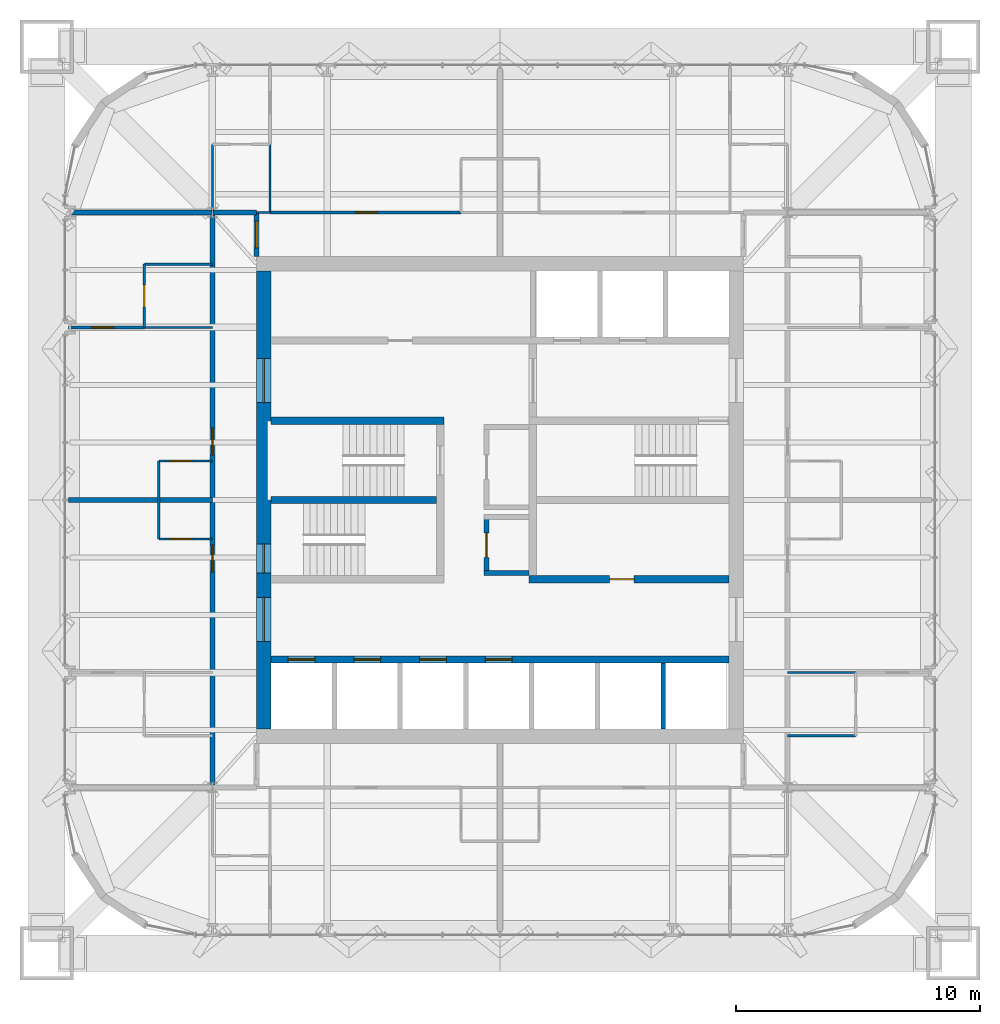
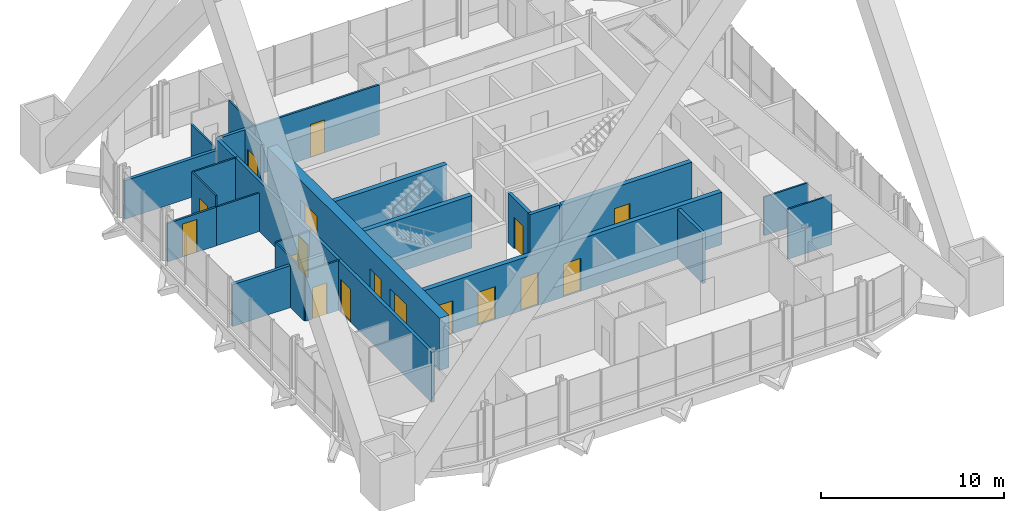
# One storey, part 20 of 23: 26 walls, 17 doors, 17 openings.
"""IFC4 building model written with IfcOpenShell, lengths in metres."""

from ifc_helpers import new_model, si_unit, direction, frame, frame_2d, origin, place, context, subcontext, project, spatial, rectangle, extrude, material, layer, layer_set, type_object, element, fill, save


model = new_model("IFC4")

# Units and contexts
model_context = context("Model", 3, precision=1e-05, world=origin(), true_north=direction((0.0, 1.0)))
body_context = subcontext(model_context, "Body", "Model", "MODEL_VIEW")
ifc_project = project(units=[si_unit("LENGTHUNIT", "METRE"), si_unit("AREAUNIT", "SQUARE_METRE"), si_unit("VOLUMEUNIT", "CUBIC_METRE"), si_unit("PLANEANGLEUNIT", "RADIAN"), si_unit("MASSUNIT", "GRAM", prefix="KILO")], contexts=[model_context])

# Site, building, storey
site_placement = place(None, origin())
site = spatial("IfcSite", under=ifc_project, at=site_placement, CompositionType="ELEMENT")
building_placement = place(site_placement, origin())
building = spatial("IfcBuilding", under=site, at=building_placement, Name="Turquesa Mirador Hotel Tower", CompositionType="ELEMENT")
storey_placement = place(building_placement, frame((0.0, 0.0, 226.699951171875)))
storey = spatial("IfcBuildingStorey", under=building, at=storey_placement, Name="L61", CompositionType="ELEMENT", Elevation=226.699951171875)

# Wall, opening, door
ifc_material_1 = material(Name="Gypsum board on steel studs", Category="steel")
ifc_layer_1 = layer(ifc_material_1, 0.10009765625)
ifc_layer_set_1 = layer_set([ifc_layer_1], Name="BATHROOM WALL 100")
wall_type_1 = type_object("IfcWallType", Name="BATHROOM WALL 100", PredefinedType="PARTITIONING", material=ifc_layer_set_1)
wall_1_placement = place(storey_placement, frame((41.0, 43.39990234375, 0.0), z_axis=(0.0, 0.0, 1.0), x_axis=(1.0, 0.0, 0.0)))
wall_1 = element("IfcWall", 1, at=wall_1_placement, inside=storey, type_object=wall_type_1, Name="Partition L61 001", PredefinedType="PARTITIONING", context=body_context, shape_type="SweptSolid", body=[
    extrude(rectangle(XDim=2.199951171875, YDim=0.10009765625, at=frame_2d((1.10009765625, 0.0))), origin(), (0.0, 0.0, 1.0), 3.330078125),
])
opening_1_placement = place(wall_1_placement, frame((0.449951171875, 0.0, 0.0)))
opening_1 = element("IfcOpeningElement", 2, at=opening_1_placement, cuts=wall_1, Name="Opening D06", PredefinedType="OPENING", context=body_context, shape_type="SweptSolid", body=[
    extrude(rectangle(XDim=0.89990234375, YDim=2.10009765625, at=frame_2d((0.449951171875, 1.050048828125))), frame((0.0, 0.06005859375, 0.0), z_axis=(0.0, -1.0, 0.0), x_axis=(1.0, 0.0, 0.0)), (0.0, 0.0, 1.0), 0.1201171875),
])
ifc_material_2 = material(Name="Laminate door", Category="wood")
door_type_1 = type_object("IfcDoorType", Name="DOOR 900X2100 WC", OperationType="SINGLE_SWING_LEFT", PredefinedType="DOOR", material=ifc_material_2)
door_1_placement = place(opening_1_placement, origin())
door_1 = element("IfcDoor", 3, at=door_1_placement, inside=storey, type_object=door_type_1, Name="Door 6107W", OperationType="SINGLE_SWING_LEFT", OverallHeight=2.10009765625, OverallWidth=0.89990234375, PredefinedType="DOOR", context=body_context, shape_type="SweptSolid", body=[
    extrude(rectangle(XDim=0.89990234375, YDim=2.10009765625, at=frame_2d((0.449951171875, 1.050048828125))), frame((0.0, 0.02490234375, 0.0), z_axis=(0.0, -1.0, 0.0), x_axis=(1.0, 0.0, 0.0)), (0.0, 0.0, 1.0), 0.050048828125),
])
fill(opening_1, door_1)

# Walls
wall_2_placement = place(storey_placement, frame((66.800048828125, 37.919921875, 0.0), z_axis=(0.0, 0.0, 1.0), x_axis=(1.0, 0.0, 0.0)))
element("IfcWall", 4, at=wall_2_placement, inside=storey, type_object=wall_type_1, Name="Partition L61 016", PredefinedType="PARTITIONING", context=body_context, shape_type="SweptSolid", body=[
    extrude(rectangle(XDim=2.800048828125, YDim=0.10009765625, at=frame_2d((1.39990234375, 0.0))), origin(), (0.0, 0.0, 1.0), 2.5732421875),
])
wall_3_placement = place(storey_placement, frame((66.800048828125, 35.320068359375, 0.0), z_axis=(0.0, 0.0, 1.0), x_axis=(1.0, 0.0, 0.0)))
element("IfcWall", 5, at=wall_3_placement, inside=storey, type_object=wall_type_1, Name="Partition L61 020", PredefinedType="PARTITIONING", context=body_context, shape_type="SweptSolid", body=[
    extrude(rectangle(XDim=2.800048828125, YDim=0.10009765625, at=frame_2d((1.39990234375, 0.0))), origin(), (0.0, 0.0, 1.0), 3.330078125),
])

# Wall, opening, door
wall_4_placement = place(storey_placement, frame((41.0, 46.60009765625, 0.0), z_axis=(0.0, 0.0, 1.0), x_axis=(1.0, 0.0, 0.0)))
wall_4 = element("IfcWall", 6, at=wall_4_placement, inside=storey, type_object=wall_type_1, Name="Partition L61 023", PredefinedType="PARTITIONING", context=body_context, shape_type="SweptSolid", body=[
    extrude(rectangle(XDim=2.199951171875, YDim=0.10009765625, at=frame_2d((1.10009765625, 0.0))), origin(), (0.0, 0.0, 1.0), 3.330078125),
])
opening_2_placement = place(wall_4_placement, frame((0.449951171875, 0.0, 0.0)))
opening_2 = element("IfcOpeningElement", 7, at=opening_2_placement, cuts=wall_4, Name="Opening D06", PredefinedType="OPENING", context=body_context, shape_type="SweptSolid", body=[
    extrude(rectangle(XDim=0.89990234375, YDim=2.10009765625, at=frame_2d((0.449951171875, 1.050048828125))), frame((0.0, 0.06005859375, 0.0), z_axis=(0.0, -1.0, 0.0), x_axis=(1.0, 0.0, 0.0)), (0.0, 0.0, 1.0), 0.1201171875),
])
door_2_placement = place(opening_2_placement, origin())
door_2 = element("IfcDoor", 8, at=door_2_placement, inside=storey, type_object=door_type_1, Name="Door 6108W", OperationType="SINGLE_SWING_LEFT", OverallHeight=2.10009765625, OverallWidth=0.89990234375, PredefinedType="DOOR", context=body_context, shape_type="SweptSolid", body=[
    extrude(rectangle(XDim=0.89990234375, YDim=2.10009765625, at=frame_2d((0.449951171875, 1.050048828125))), frame((0.0, 0.02490234375, 0.0), z_axis=(0.0, -1.0, 0.0), x_axis=(1.0, 0.0, 0.0)), (0.0, 0.0, 1.0), 0.050048828125),
])
fill(opening_2, door_2)

# Walls
wall_5_placement = place(storey_placement, frame((45.0, 56.800048828125, 0.0), z_axis=(0.0, 0.0, 1.0), x_axis=(1.0, 0.0, 0.0)))
element("IfcWall", 9, at=wall_5_placement, inside=storey, type_object=wall_type_1, Name="Partition L61 025", PredefinedType="PARTITIONING", context=body_context, shape_type="SweptSolid", body=[
    extrude(rectangle(XDim=0.56005859375, YDim=0.10009765625, at=frame_2d((0.280029296875, 0.0))), origin(), (0.0, 0.0, 1.0), 3.330078125),
])
wall_6_placement = place(storey_placement, frame((40.39990234375, 52.080078125, 0.0), z_axis=(0.0, 0.0, 1.0), x_axis=(1.0, 0.0, 0.0)))
element("IfcWall", 10, at=wall_6_placement, inside=storey, type_object=wall_type_1, Name="Partition L61 037", PredefinedType="PARTITIONING", context=body_context, shape_type="SweptSolid", body=[
    extrude(rectangle(XDim=2.800048828125, YDim=0.10009765625, at=frame_2d((1.39990234375, 0.0))), origin(), (0.0, 0.0, 1.0), 2.5732421875),
])
wall_7_placement = place(storey_placement, frame((40.39990234375, 54.679931640625, 0.0), z_axis=(0.0, 0.0, 1.0), x_axis=(1.0, 0.0, 0.0)))
element("IfcWall", 11, at=wall_7_placement, inside=storey, type_object=wall_type_1, Name="Partition L61 041", PredefinedType="PARTITIONING", context=body_context, shape_type="SweptSolid", body=[
    extrude(rectangle(XDim=2.800048828125, YDim=0.10009765625, at=frame_2d((1.39990234375, 0.0))), origin(), (0.0, 0.0, 1.0), 3.330078125),
])
wall_8_placement = place(storey_placement, frame((43.199951171875, 56.800048828125, 0.0), z_axis=(0.0, 0.0, 1.0), x_axis=(0.0, 1.0, 0.0)))
element("IfcWall", 12, at=wall_8_placement, inside=storey, type_object=wall_type_1, Name="Partition L61 048", PredefinedType="PARTITIONING", context=body_context, shape_type="SweptSolid", body=[
    extrude(rectangle(XDim=2.800048828125, YDim=0.10009765625, at=frame_2d((1.39990234375, 0.0))), origin(), (0.0, 0.0, 1.0), 2.5732421875),
])
wall_9_placement = place(storey_placement, frame((41.0, 43.39990234375, 0.0), z_axis=(0.0, 0.0, 1.0), x_axis=(0.0, 1.0, 0.0)))
element("IfcWall", 13, at=wall_9_placement, inside=storey, type_object=wall_type_1, Name="Partition L61 050", PredefinedType="PARTITIONING", context=body_context, shape_type="SweptSolid", body=[
    extrude(rectangle(XDim=3.2001953125, YDim=0.10009765625, at=frame_2d((1.60009765625, 0.0))), origin(), (0.0, 0.0, 1.0), 3.330078125),
])

# Wall, opening, door
wall_10_placement = place(storey_placement, frame((40.39990234375, 52.080078125, 0.0), z_axis=(0.0, 0.0, 1.0), x_axis=(0.0, 1.0, 0.0)))
wall_10 = element("IfcWall", 14, at=wall_10_placement, inside=storey, type_object=wall_type_1, Name="Partition L61 052", PredefinedType="PARTITIONING", context=body_context, shape_type="SweptSolid", body=[
    extrude(rectangle(XDim=2.599853515625, YDim=0.10009765625, at=frame_2d((1.2998046875, 0.0))), origin(), (0.0, 0.0, 1.0), 3.330078125),
])
opening_3_placement = place(wall_10_placement, frame((0.85009765625, 0.0, 0.0)))
opening_3 = element("IfcOpeningElement", 15, at=opening_3_placement, cuts=wall_10, Name="Opening D02", PredefinedType="OPENING", context=body_context, shape_type="SweptSolid", body=[
    extrude(rectangle(XDim=0.89990234375, YDim=2.10009765625, at=frame_2d((0.449951171875, 1.050048828125))), frame((0.0, 0.06005859375, 0.0), z_axis=(0.0, -1.0, 0.0), x_axis=(1.0, 0.0, 0.0)), (0.0, 0.0, 1.0), 0.1201171875),
])
ifc_material_3 = material(Name="Timber veneered door", Category="wood")
door_type_2 = type_object("IfcDoorType", Name="DOOR 900X2100 EN-SUITE", OperationType="SINGLE_SWING_RIGHT", PredefinedType="DOOR", material=ifc_material_3)
door_3_placement = place(opening_3_placement, origin())
door_3 = element("IfcDoor", 16, at=door_3_placement, inside=storey, type_object=door_type_2, Name="Door 6108B", OperationType="SINGLE_SWING_RIGHT", OverallHeight=2.10009765625, OverallWidth=0.89990234375, PredefinedType="DOOR", context=body_context, shape_type="SweptSolid", body=[
    extrude(rectangle(XDim=0.89990234375, YDim=2.10009765625, at=frame_2d((0.449951171875, 1.050048828125))), frame((0.0, 0.02490234375, 0.0), z_axis=(0.0, -1.0, 0.0), x_axis=(1.0, 0.0, 0.0)), (0.0, 0.0, 1.0), 0.050048828125),
])
fill(opening_3, door_3)

# Wall
wall_11_placement = place(storey_placement, frame((45.56005859375, 56.800048828125, 0.0), z_axis=(0.0, 0.0, 1.0), x_axis=(0.0, 1.0, 0.0)))
element("IfcWall", 17, at=wall_11_placement, inside=storey, type_object=wall_type_1, Name="Partition L61 054", PredefinedType="PARTITIONING", context=body_context, shape_type="SweptSolid", body=[
    extrude(rectangle(XDim=2.800048828125, YDim=0.10009765625, at=frame_2d((1.39990234375, 0.0))), origin(), (0.0, 0.0, 1.0), 3.330078125),
])

# Wall, openings, doors
ifc_material_4 = material(Name="Concrete C50/60", Category="concrete")
ifc_layer_2 = layer(ifc_material_4, 0.300048828125)
ifc_layer_set_2 = layer_set([ifc_layer_2], Name="CORE INNER WALL 300")
wall_type_2 = type_object("IfcWallType", Name="CORE INNER WALL 300", PredefinedType="SHEAR", material=ifc_layer_set_2)
wall_12_placement = place(storey_placement, frame((45.60009765625, 38.449951171875, 0.0), z_axis=(0.0, 0.0, 1.0), x_axis=(1.0, 0.0, 0.0)))
wall_12 = element("IfcWall", 18, at=wall_12_placement, inside=storey, type_object=wall_type_2, Name="Core wall SL", PredefinedType="SHEAR", context=body_context, shape_type="SweptSolid", body=[
    extrude(rectangle(XDim=18.7998046875, YDim=0.300048828125, at=frame_2d((9.39990234375, 0.0))), origin(), (0.0, 0.0, 1.0), 3.5),
])
opening_4_placement = place(wall_12_placement, frame((0.699951171875, 0.0, 0.0)))
opening_4 = element("IfcOpeningElement", 19, at=opening_4_placement, cuts=wall_12, Name="Opening LD", PredefinedType="OPENING", context=body_context, shape_type="SweptSolid", body=[
    extrude(rectangle(XDim=1.10009765625, YDim=2.199951171875, at=frame_2d((0.550048828125, 1.10009765625))), frame((0.0, 0.159912109375, 0.0), z_axis=(0.0, -1.0, 0.0), x_axis=(1.0, 0.0, 0.0)), (0.0, 0.0, 1.0), 0.320068359375),
])
opening_5_placement = place(wall_12_placement, frame((3.39990234375, 0.0, 0.0)))
opening_5 = element("IfcOpeningElement", 20, at=opening_5_placement, cuts=wall_12, Name="Opening LD", PredefinedType="OPENING", context=body_context, shape_type="SweptSolid", body=[
    extrude(rectangle(XDim=1.10009765625, YDim=2.199951171875, at=frame_2d((0.550048828125, 1.10009765625))), frame((0.0, 0.159912109375, 0.0), z_axis=(0.0, -1.0, 0.0), x_axis=(1.0, 0.0, 0.0)), (0.0, 0.0, 1.0), 0.320068359375),
])
opening_6_placement = place(wall_12_placement, frame((6.10009765625, 0.0, 0.0)))
opening_6 = element("IfcOpeningElement", 21, at=opening_6_placement, cuts=wall_12, Name="Opening LD", PredefinedType="OPENING", context=body_context, shape_type="SweptSolid", body=[
    extrude(rectangle(XDim=1.10009765625, YDim=2.199951171875, at=frame_2d((0.550048828125, 1.10009765625))), frame((0.0, 0.159912109375, 0.0), z_axis=(0.0, -1.0, 0.0), x_axis=(1.0, 0.0, 0.0)), (0.0, 0.0, 1.0), 0.320068359375),
])
opening_7_placement = place(wall_12_placement, frame((8.800048828125, 0.0, 0.0)))
opening_7 = element("IfcOpeningElement", 22, at=opening_7_placement, cuts=wall_12, Name="Opening LD", PredefinedType="OPENING", context=body_context, shape_type="SweptSolid", body=[
    extrude(rectangle(XDim=1.10009765625, YDim=2.199951171875, at=frame_2d((0.550048828125, 1.10009765625))), frame((0.0, 0.159912109375, 0.0), z_axis=(0.0, -1.0, 0.0), x_axis=(1.0, 0.0, 0.0)), (0.0, 0.0, 1.0), 0.320068359375),
])
ifc_material_5 = material(Name="Stainless steel lift landing door", Category="steel")
door_type_3 = type_object("IfcDoorType", Name="LIFT LANDING DOOR 1100X2200", OperationType="SLIDING_TO_LEFT", PredefinedType="DOOR", material=ifc_material_5)
door_4_placement = place(opening_4_placement, origin())
door_4 = element("IfcDoor", 23, at=door_4_placement, inside=storey, type_object=door_type_3, Name="Lift B1 landing door", OperationType="SLIDING_TO_LEFT", OverallHeight=2.199951171875, OverallWidth=1.10009765625, PredefinedType="DOOR", context=body_context, shape_type="SweptSolid", body=[
    extrude(rectangle(XDim=1.10009765625, YDim=2.199951171875, at=frame_2d((0.550048828125, 1.10009765625))), frame((0.0, 0.02490234375, 0.0), z_axis=(0.0, -1.0, 0.0), x_axis=(1.0, 0.0, 0.0)), (0.0, 0.0, 1.0), 0.050048828125),
])
fill(opening_4, door_4)
door_5_placement = place(opening_5_placement, origin())
door_5 = element("IfcDoor", 24, at=door_5_placement, inside=storey, type_object=door_type_3, Name="Lift B2 landing door", OperationType="SLIDING_TO_LEFT", OverallHeight=2.199951171875, OverallWidth=1.10009765625, PredefinedType="DOOR", context=body_context, shape_type="SweptSolid", body=[
    extrude(rectangle(XDim=1.10009765625, YDim=2.199951171875, at=frame_2d((0.550048828125, 1.10009765625))), frame((0.0, 0.02490234375, 0.0), z_axis=(0.0, -1.0, 0.0), x_axis=(1.0, 0.0, 0.0)), (0.0, 0.0, 1.0), 0.050048828125),
])
fill(opening_5, door_5)
door_6_placement = place(opening_6_placement, origin())
door_6 = element("IfcDoor", 25, at=door_6_placement, inside=storey, type_object=door_type_3, Name="Lift B3 landing door", OperationType="SLIDING_TO_LEFT", OverallHeight=2.199951171875, OverallWidth=1.10009765625, PredefinedType="DOOR", context=body_context, shape_type="SweptSolid", body=[
    extrude(rectangle(XDim=1.10009765625, YDim=2.199951171875, at=frame_2d((0.550048828125, 1.10009765625))), frame((0.0, 0.02490234375, 0.0), z_axis=(0.0, -1.0, 0.0), x_axis=(1.0, 0.0, 0.0)), (0.0, 0.0, 1.0), 0.050048828125),
])
fill(opening_6, door_6)
door_7_placement = place(opening_7_placement, origin())
door_7 = element("IfcDoor", 26, at=door_7_placement, inside=storey, type_object=door_type_3, Name="Lift B4 landing door", OperationType="SLIDING_TO_LEFT", OverallHeight=2.199951171875, OverallWidth=1.10009765625, PredefinedType="DOOR", context=body_context, shape_type="SweptSolid", body=[
    extrude(rectangle(XDim=1.10009765625, YDim=2.199951171875, at=frame_2d((0.550048828125, 1.10009765625))), frame((0.0, 0.02490234375, 0.0), z_axis=(0.0, -1.0, 0.0), x_axis=(1.0, 0.0, 0.0)), (0.0, 0.0, 1.0), 0.050048828125),
])
fill(opening_7, door_7)

# Wall
wall_13_placement = place(storey_placement, frame((45.60009765625, 48.25, 0.0), z_axis=(0.0, 0.0, 1.0), x_axis=(1.0, 0.0, 0.0)))
element("IfcWall", 27, at=wall_13_placement, inside=storey, type_object=wall_type_2, Name="Core wall MN-W", PredefinedType="SHEAR", context=body_context, shape_type="SweptSolid", body=[
    extrude(rectangle(XDim=7.099853515625, YDim=0.300048828125, at=frame_2d((3.5498046875, 0.0))), origin(), (0.0, 0.0, 1.0), 3.5),
])

# Wall, opening, door
wall_14_placement = place(storey_placement, frame((56.199951171875, 41.75, 0.0), z_axis=(0.0, 0.0, 1.0), x_axis=(1.0, 0.0, 0.0)))
wall_14 = element("IfcWall", 28, at=wall_14_placement, inside=storey, type_object=wall_type_2, Name="Core wall MS-E", PredefinedType="SHEAR", context=body_context, shape_type="SweptSolid", body=[
    extrude(rectangle(XDim=8.199951171875, YDim=0.300048828125, at=frame_2d((4.10009765625, 0.0))), origin(), (0.0, 0.0, 1.0), 3.5),
])
opening_8_placement = place(wall_14_placement, frame((3.300048828125, 0.0, 0.0)))
opening_8 = element("IfcOpeningElement", 29, at=opening_8_placement, cuts=wall_14, Name="Opening D05", PredefinedType="OPENING", context=body_context, shape_type="SweptSolid", body=[
    extrude(rectangle(XDim=1.0, YDim=2.10009765625, at=frame_2d((0.5, 1.050048828125))), frame((0.0, 0.159912109375, 0.0), z_axis=(0.0, -1.0, 0.0), x_axis=(1.0, 0.0, 0.0)), (0.0, 0.0, 1.0), 0.320068359375),
])
ifc_material_6 = material(Name="Steel fire door", Category="steel")
door_type_4 = type_object("IfcDoorType", Name="DOOR 1000X2100 SERVICE", OperationType="SINGLE_SWING_LEFT", PredefinedType="DOOR", material=ifc_material_6)
door_8_placement = place(opening_8_placement, origin())
door_8 = element("IfcDoor", 30, at=door_8_placement, inside=storey, type_object=door_type_4, Name="Housekeeping room door", OperationType="SINGLE_SWING_LEFT", OverallHeight=2.10009765625, OverallWidth=1.0, PredefinedType="DOOR", context=body_context, shape_type="SweptSolid", body=[
    extrude(rectangle(XDim=1.0, YDim=2.10009765625, at=frame_2d((0.5, 1.050048828125))), frame((0.0, 0.02490234375, 0.0), z_axis=(0.0, -1.0, 0.0), x_axis=(1.0, 0.0, 0.0)), (0.0, 0.0, 1.0), 0.050048828125),
])
fill(opening_8, door_8)

# Wall
wall_15_placement = place(storey_placement, frame((45.60009765625, 45.0, 0.0), z_axis=(0.0, 0.0, 1.0), x_axis=(1.0, 0.0, 0.0)))
element("IfcWall", 31, at=wall_15_placement, inside=storey, type_object=wall_type_2, Name="Core wall M0-W", PredefinedType="SHEAR", context=body_context, shape_type="SweptSolid", body=[
    extrude(rectangle(XDim=6.7998046875, YDim=0.300048828125, at=frame_2d((3.39990234375, 0.0))), origin(), (0.0, 0.0, 1.0), 3.5),
])

# Wall, openings, doors
ifc_material_7 = material(Name="Concrete C50/60", Category="concrete")
ifc_layer_3 = layer(ifc_material_7, 0.60009765625)
ifc_layer_set_3 = layer_set([ifc_layer_3], Name="CORE WALL 600")
wall_type_3 = type_object("IfcWallType", Name="CORE WALL 600", PredefinedType="SHEAR", material=ifc_layer_set_3)
wall_16_placement = place(storey_placement, frame((45.300048828125, 35.60009765625, 0.0), z_axis=(0.0, 0.0, 1.0), x_axis=(0.0, 1.0, 0.0)))
wall_16 = element("IfcWall", 32, at=wall_16_placement, inside=storey, type_object=wall_type_3, Name="Core wall W", PredefinedType="SHEAR", context=body_context, shape_type="SweptSolid", body=[
    extrude(rectangle(XDim=18.7998046875, YDim=0.60009765625, at=frame_2d((9.39990234375, 0.0))), origin(), (0.0, 0.0, 1.0), 3.5),
])
opening_9_placement = place(wall_16_placement, frame((13.39990234375, 0.0, 0.0)))
opening_9 = element("IfcOpeningElement", 33, at=opening_9_placement, cuts=wall_16, Name="Opening D04", PredefinedType="OPENING", context=body_context, shape_type="SweptSolid", body=[
    extrude(rectangle(XDim=1.800048828125, YDim=2.199951171875, at=frame_2d((0.89990234375, 1.10009765625))), frame((0.0, 0.31005859375, 0.0), z_axis=(0.0, -1.0, 0.0), x_axis=(1.0, 0.0, 0.0)), (0.0, 0.0, 1.0), 0.6201171875),
])
opening_10_placement = place(wall_16_placement, frame((3.60009765625, 0.0, 0.0)))
opening_10 = element("IfcOpeningElement", 34, at=opening_10_placement, cuts=wall_16, Name="Opening D04", PredefinedType="OPENING", context=body_context, shape_type="SweptSolid", body=[
    extrude(rectangle(XDim=1.800048828125, YDim=2.199951171875, at=frame_2d((0.89990234375, 1.10009765625))), frame((0.0, 0.31005859375, 0.0), z_axis=(0.0, -1.0, 0.0), x_axis=(1.0, 0.0, 0.0)), (0.0, 0.0, 1.0), 0.6201171875),
])
opening_11_placement = place(wall_16_placement, frame((6.39990234375, 0.0, 0.0)))
opening_11 = element("IfcOpeningElement", 35, at=opening_11_placement, cuts=wall_16, Name="Opening D03", PredefinedType="OPENING", context=body_context, shape_type="SweptSolid", body=[
    extrude(rectangle(XDim=1.199951171875, YDim=2.199951171875, at=frame_2d((0.60009765625, 1.10009765625))), frame((0.0, 0.31005859375, 0.0), z_axis=(0.0, -1.0, 0.0), x_axis=(1.0, 0.0, 0.0)), (0.0, 0.0, 1.0), 0.6201171875),
])
ifc_material_8 = material(Name="Steel fire door", Category="steel")
door_type_5 = type_object("IfcDoorType", Name="DOOR 1200X2200 STAIR", OperationType="SINGLE_SWING_LEFT", PredefinedType="DOOR", material=ifc_material_8)
door_9_placement = place(opening_11_placement, origin())
door_9 = element("IfcDoor", 36, at=door_9_placement, inside=storey, type_object=door_type_5, Name="Stair ST2 door", OperationType="SINGLE_SWING_LEFT", OverallHeight=2.199951171875, OverallWidth=1.199951171875, PredefinedType="DOOR", context=body_context, shape_type="SweptSolid", body=[
    extrude(rectangle(XDim=1.199951171875, YDim=2.199951171875, at=frame_2d((0.60009765625, 1.10009765625))), frame((0.0, 0.02490234375, 0.0), z_axis=(0.0, -1.0, 0.0), x_axis=(1.0, 0.0, 0.0)), (0.0, 0.0, 1.0), 0.050048828125),
])
fill(opening_11, door_9)
ifc_material_9 = material(Name="Steel fire door pair", Category="steel")
door_type_6 = type_object("IfcDoorType", Name="DOOR 1800X2200 PAIR", OperationType="DOUBLE_DOOR_SINGLE_SWING", PredefinedType="DOOR", material=ifc_material_9)
door_10_placement = place(opening_9_placement, origin())
door_10 = element("IfcDoor", 37, at=door_10_placement, inside=storey, type_object=door_type_6, Name="North lift lobby door", OperationType="DOUBLE_DOOR_SINGLE_SWING", OverallHeight=2.199951171875, OverallWidth=1.800048828125, PredefinedType="DOOR", context=body_context, shape_type="SweptSolid", body=[
    extrude(rectangle(XDim=1.800048828125, YDim=2.199951171875, at=frame_2d((0.89990234375, 1.10009765625))), frame((0.0, 0.02490234375, 0.0), z_axis=(0.0, -1.0, 0.0), x_axis=(1.0, 0.0, 0.0)), (0.0, 0.0, 1.0), 0.050048828125),
])
fill(opening_9, door_10)
door_11_placement = place(opening_10_placement, origin())
door_11 = element("IfcDoor", 38, at=door_11_placement, inside=storey, type_object=door_type_6, Name="South lift lobby door", OperationType="DOUBLE_DOOR_SINGLE_SWING", OverallHeight=2.199951171875, OverallWidth=1.800048828125, PredefinedType="DOOR", context=body_context, shape_type="SweptSolid", body=[
    extrude(rectangle(XDim=1.800048828125, YDim=2.199951171875, at=frame_2d((0.89990234375, 1.10009765625))), frame((0.0, 0.02490234375, 0.0), z_axis=(0.0, -1.0, 0.0), x_axis=(1.0, 0.0, 0.0)), (0.0, 0.0, 1.0), 0.050048828125),
])
fill(opening_10, door_11)

# Wall
ifc_material_10 = material(Name="Fire-rated gypsum board on steel studs", Category="steel")
ifc_layer_4 = layer(ifc_material_10, 0.199951171875)
ifc_layer_set_4 = layer_set([ifc_layer_4], Name="CORRIDOR WALL 200")
wall_type_4 = type_object("IfcWallType", Name="CORRIDOR WALL 200", PredefinedType="PARTITIONING", material=ifc_layer_set_4)
wall_17_placement = place(storey_placement, frame((43.199951171875, 56.800048828125, 0.0), z_axis=(0.0, 0.0, 1.0), x_axis=(1.0, 0.0, 0.0)))
element("IfcWall", 39, at=wall_17_placement, inside=storey, type_object=wall_type_4, Name="Partition L61 028", PredefinedType="PARTITIONING", context=body_context, shape_type="SweptSolid", body=[
    extrude(rectangle(XDim=1.800048828125, YDim=0.199951171875, at=frame_2d((0.89990234375, 0.0))), origin(), (0.0, 0.0, 1.0), 3.330078125),
])

# Wall, opening, door
wall_18_placement = place(storey_placement, frame((45.0, 55.0, 0.0), z_axis=(0.0, 0.0, 1.0), x_axis=(0.0, 1.0, 0.0)))
wall_18 = element("IfcWall", 40, at=wall_18_placement, inside=storey, type_object=wall_type_4, Name="Partition L61 046", PredefinedType="PARTITIONING", context=body_context, shape_type="SweptSolid", body=[
    extrude(rectangle(XDim=1.800048828125, YDim=0.199951171875, at=frame_2d((0.89990234375, 0.0))), origin(), (0.0, 0.0, 1.0), 3.330078125),
])
opening_12_placement = place(wall_18_placement, frame((0.35009765625, 0.0, 0.0)))
opening_12 = element("IfcOpeningElement", 41, at=opening_12_placement, cuts=wall_18, Name="Opening D15", PredefinedType="OPENING", context=body_context, shape_type="SweptSolid", body=[
    extrude(rectangle(XDim=1.10009765625, YDim=2.199951171875, at=frame_2d((0.550048828125, 1.10009765625))), frame((0.0, 0.10986328125, 0.0), z_axis=(0.0, -1.0, 0.0), x_axis=(1.0, 0.0, 0.0)), (0.0, 0.0, 1.0), 0.219970703125),
])
ifc_material_11 = material(Name="Timber veneered fire door", Category="wood")
door_type_7 = type_object("IfcDoorType", Name="DOOR 1100X2200 SUITE ENTRY", OperationType="SINGLE_SWING_LEFT", PredefinedType="DOOR", material=ifc_material_11)
door_12_placement = place(opening_12_placement, origin())
door_12 = element("IfcDoor", 42, at=door_12_placement, inside=storey, type_object=door_type_7, Name="Door 6101G", OperationType="SINGLE_SWING_LEFT", OverallHeight=2.199951171875, OverallWidth=1.10009765625, PredefinedType="DOOR", context=body_context, shape_type="SweptSolid", body=[
    extrude(rectangle(XDim=1.10009765625, YDim=2.199951171875, at=frame_2d((0.550048828125, 1.10009765625))), frame((0.0, 0.02490234375, 0.0), z_axis=(0.0, -1.0, 0.0), x_axis=(1.0, 0.0, 0.0)), (0.0, 0.0, 1.0), 0.050048828125),
])
fill(opening_12, door_12)

# Wall, openings, doors
wall_19_placement = place(storey_placement, frame((43.199951171875, 33.199951171875, 0.0), z_axis=(0.0, 0.0, 1.0), x_axis=(0.0, 1.0, 0.0)))
wall_19 = element("IfcWall", 43, at=wall_19_placement, inside=storey, type_object=wall_type_4, Name="Partition L61 049", PredefinedType="PARTITIONING", context=body_context, shape_type="SweptSolid", body=[
    extrude(rectangle(XDim=23.60009765625, YDim=0.199951171875, at=frame_2d((11.800048828125, 0.0))), origin(), (0.0, 0.0, 1.0), 3.330078125),
])
opening_13_placement = place(wall_19_placement, frame((8.85009765625, 0.0, 0.0)))
opening_13 = element("IfcOpeningElement", 44, at=opening_13_placement, cuts=wall_19, Name="Opening D15", PredefinedType="OPENING", context=body_context, shape_type="SweptSolid", body=[
    extrude(rectangle(XDim=1.10009765625, YDim=2.199951171875, at=frame_2d((0.550048828125, 1.10009765625))), frame((0.0, 0.10986328125, 0.0), z_axis=(0.0, -1.0, 0.0), x_axis=(1.0, 0.0, 0.0)), (0.0, 0.0, 1.0), 0.219970703125),
])
opening_14_placement = place(wall_19_placement, frame((13.64990234375, 0.0, 0.0)))
opening_14 = element("IfcOpeningElement", 45, at=opening_14_placement, cuts=wall_19, Name="Opening D15", PredefinedType="OPENING", context=body_context, shape_type="SweptSolid", body=[
    extrude(rectangle(XDim=1.10009765625, YDim=2.199951171875, at=frame_2d((0.550048828125, 1.10009765625))), frame((0.0, 0.10986328125, 0.0), z_axis=(0.0, -1.0, 0.0), x_axis=(1.0, 0.0, 0.0)), (0.0, 0.0, 1.0), 0.219970703125),
])
door_13_placement = place(opening_13_placement, origin())
door_13 = element("IfcDoor", 46, at=door_13_placement, inside=storey, type_object=door_type_7, Name="Door 6107", OperationType="SINGLE_SWING_LEFT", OverallHeight=2.199951171875, OverallWidth=1.10009765625, PredefinedType="DOOR", context=body_context, shape_type="SweptSolid", body=[
    extrude(rectangle(XDim=1.10009765625, YDim=2.199951171875, at=frame_2d((0.550048828125, 1.10009765625))), frame((0.0, 0.02490234375, 0.0), z_axis=(0.0, -1.0, 0.0), x_axis=(1.0, 0.0, 0.0)), (0.0, 0.0, 1.0), 0.050048828125),
])
fill(opening_13, door_13)
door_14_placement = place(opening_14_placement, origin())
door_14 = element("IfcDoor", 47, at=door_14_placement, inside=storey, type_object=door_type_7, Name="Door 6108", OperationType="SINGLE_SWING_LEFT", OverallHeight=2.199951171875, OverallWidth=1.10009765625, PredefinedType="DOOR", context=body_context, shape_type="SweptSolid", body=[
    extrude(rectangle(XDim=1.10009765625, YDim=2.199951171875, at=frame_2d((0.550048828125, 1.10009765625))), frame((0.0, 0.02490234375, 0.0), z_axis=(0.0, -1.0, 0.0), x_axis=(1.0, 0.0, 0.0)), (0.0, 0.0, 1.0), 0.050048828125),
])
fill(opening_14, door_14)

# Wall, opening, door
ifc_material_12 = material(Name="Fire-rated gypsum board on steel studs", Category="steel")
ifc_layer_5 = layer(ifc_material_12, 0.199951171875)
ifc_layer_set_5 = layer_set([ifc_layer_5], Name="FIRE PARTITION 200")
wall_type_5 = type_object("IfcWallType", Name="FIRE PARTITION 200", PredefinedType="PARTITIONING", material=ifc_layer_set_5)
wall_20_placement = place(storey_placement, frame((54.449951171875, 42.0, 0.0), z_axis=(0.0, 0.0, 1.0), x_axis=(0.0, 1.0, 0.0)))
wall_20 = element("IfcWall", 48, at=wall_20_placement, inside=storey, type_object=wall_type_5, Name="Partition L61 BO W", PredefinedType="PARTITIONING", context=body_context, shape_type="SweptSolid", body=[
    extrude(rectangle(XDim=2.300048828125, YDim=0.199951171875, at=frame_2d((1.14990234375, 0.0))), origin(), (0.0, 0.0, 1.0), 3.330078125),
])
opening_15_placement = place(wall_20_placement, frame((0.64990234375, 0.0, 0.0)))
opening_15 = element("IfcOpeningElement", 49, at=opening_15_placement, cuts=wall_20, Name="Opening D05", PredefinedType="OPENING", context=body_context, shape_type="SweptSolid", body=[
    extrude(rectangle(XDim=1.0, YDim=2.10009765625, at=frame_2d((0.5, 1.050048828125))), frame((0.0, 0.10986328125, 0.0), z_axis=(0.0, -1.0, 0.0), x_axis=(1.0, 0.0, 0.0)), (0.0, 0.0, 1.0), 0.219970703125),
])
door_15_placement = place(opening_15_placement, origin())
door_15 = element("IfcDoor", 50, at=door_15_placement, inside=storey, type_object=door_type_4, Name="Butler's pantry door", OperationType="SINGLE_SWING_LEFT", OverallHeight=2.10009765625, OverallWidth=1.0, PredefinedType="DOOR", context=body_context, shape_type="SweptSolid", body=[
    extrude(rectangle(XDim=1.0, YDim=2.10009765625, at=frame_2d((0.5, 1.050048828125))), frame((0.0, 0.02490234375, 0.0), z_axis=(0.0, -1.0, 0.0), x_axis=(1.0, 0.0, 0.0)), (0.0, 0.0, 1.0), 0.050048828125),
])
fill(opening_15, door_15)

# Walls
wall_21_placement = place(storey_placement, frame((54.35009765625, 42.0, 0.0), z_axis=(0.0, 0.0, 1.0), x_axis=(1.0, 0.0, 0.0)))
element("IfcWall", 51, at=wall_21_placement, inside=storey, type_object=wall_type_5, Name="Partition L61 BO S", PredefinedType="PARTITIONING", context=body_context, shape_type="SweptSolid", body=[
    extrude(rectangle(XDim=1.849853515625, YDim=0.199951171875, at=frame_2d((0.9248046875, 0.0))), origin(), (0.0, 0.0, 1.0), 3.330078125),
])
ifc_material_13 = material(Name="Fire-rated gypsum shaft wall on steel studs", Category="steel")
ifc_layer_6 = layer(ifc_material_13, 0.199951171875)
ifc_layer_set_6 = layer_set([ifc_layer_6], Name="LIFT SHAFT DIVIDER 200")
wall_type_6 = type_object("IfcWallType", Name="LIFT SHAFT DIVIDER 200", PredefinedType="PARTITIONING", material=ifc_layer_set_6)
wall_22_placement = place(storey_placement, frame((61.699951171875, 35.60009765625, 0.0), z_axis=(0.0, 0.0, 1.0), x_axis=(0.0, 1.0, 0.0)))
element("IfcWall", 52, at=wall_22_placement, inside=storey, type_object=wall_type_6, Name="Lift shaft divider", PredefinedType="PARTITIONING", context=body_context, shape_type="SweptSolid", body=[
    extrude(rectangle(XDim=2.699951171875, YDim=0.199951171875, at=frame_2d((1.35009765625, 0.0))), origin(), (0.0, 0.0, 1.0), 3.330078125),
])
ifc_material_14 = material(Name="Fire-rated gypsum board on steel studs", Category="steel")
ifc_layer_7 = layer(ifc_material_14, 0.199951171875)
ifc_layer_set_7 = layer_set([ifc_layer_7], Name="PARTY WALL 200")
wall_type_7 = type_object("IfcWallType", Name="PARTY WALL 200", PredefinedType="PARTITIONING", material=ifc_layer_set_7)
wall_23_placement = place(storey_placement, frame((37.300048828125, 45.0, 0.0), z_axis=(0.0, 0.0, 1.0), x_axis=(1.0, 0.0, 0.0)))
element("IfcWall", 53, at=wall_23_placement, inside=storey, type_object=wall_type_7, Name="Partition L61 021", PredefinedType="PARTITIONING", context=body_context, shape_type="SweptSolid", body=[
    extrude(rectangle(XDim=5.89990234375, YDim=0.199951171875, at=frame_2d((2.949951171875, 0.0))), origin(), (0.0, 0.0, 1.0), 2.796630859375),
])
wall_24_placement = place(storey_placement, frame((37.300048828125, 56.800048828125, 0.0), z_axis=(0.0, 0.0, 1.0), x_axis=(1.0, 0.0, 0.0)))
element("IfcWall", 54, at=wall_24_placement, inside=storey, type_object=wall_type_7, Name="Partition L61 030", PredefinedType="PARTITIONING", context=body_context, shape_type="SweptSolid", body=[
    extrude(rectangle(XDim=5.89990234375, YDim=0.199951171875, at=frame_2d((2.949951171875, 0.0))), origin(), (0.0, 0.0, 1.0), 2.5732421875),
])

# Wall, opening, door
ifc_material_15 = material(Name="Acoustic gypsum board on steel studs", Category="steel")
ifc_layer_8 = layer(ifc_material_15, 0.125)
ifc_layer_set_8 = layer_set([ifc_layer_8], Name="SUITE PARTITION 125")
wall_type_8 = type_object("IfcWallType", Name="SUITE PARTITION 125", PredefinedType="PARTITIONING", material=ifc_layer_set_8)
wall_25_placement = place(storey_placement, frame((45.56005859375, 56.800048828125, 0.0), z_axis=(0.0, 0.0, 1.0), x_axis=(1.0, 0.0, 0.0)))
wall_25 = element("IfcWall", 55, at=wall_25_placement, inside=storey, type_object=wall_type_8, Name="Partition L61 032", PredefinedType="PARTITIONING", context=body_context, shape_type="SweptSolid", body=[
    extrude(rectangle(XDim=7.83984375, YDim=0.125, at=frame_2d((3.919921875, 0.0))), origin(), (0.0, 0.0, 1.0), 3.330078125),
])
opening_16_placement = place(wall_25_placement, frame((3.489990234375, 0.0, 0.0)))
opening_16 = element("IfcOpeningElement", 56, at=opening_16_placement, cuts=wall_25, Name="Opening D17", PredefinedType="OPENING", context=body_context, shape_type="SweptSolid", body=[
    extrude(rectangle(XDim=0.89990234375, YDim=2.199951171875, at=frame_2d((0.449951171875, 1.10009765625))), frame((0.0, 0.072509765625, 0.0), z_axis=(0.0, -1.0, 0.0), x_axis=(1.0, 0.0, 0.0)), (0.0, 0.0, 1.0), 0.14501953125),
])
ifc_material_16 = material(Name="Timber veneered door", Category="wood")
door_type_8 = type_object("IfcDoorType", Name="DOOR 900X2200 SUITE INTERNAL", OperationType="SINGLE_SWING_LEFT", PredefinedType="DOOR", material=ifc_material_16)
door_16_placement = place(opening_16_placement, origin())
door_16 = element("IfcDoor", 57, at=door_16_placement, inside=storey, type_object=door_type_8, Name="Door 6101", OperationType="SINGLE_SWING_LEFT", OverallHeight=2.199951171875, OverallWidth=0.89990234375, PredefinedType="DOOR", context=body_context, shape_type="SweptSolid", body=[
    extrude(rectangle(XDim=0.89990234375, YDim=2.199951171875, at=frame_2d((0.449951171875, 1.10009765625))), frame((0.0, 0.02490234375, 0.0), z_axis=(0.0, -1.0, 0.0), x_axis=(1.0, 0.0, 0.0)), (0.0, 0.0, 1.0), 0.050048828125),
])
fill(opening_16, door_16)

wall_26_placement = place(storey_placement, frame((37.300048828125, 52.080078125, 0.0), z_axis=(0.0, 0.0, 1.0), x_axis=(1.0, 0.0, 0.0)))
wall_26 = element("IfcWall", 58, at=wall_26_placement, inside=storey, type_object=wall_type_8, Name="Partition L61 039", PredefinedType="PARTITIONING", context=body_context, shape_type="SweptSolid", body=[
    extrude(rectangle(XDim=3.099853515625, YDim=0.125, at=frame_2d((1.5498046875, 0.0))), origin(), (0.0, 0.0, 1.0), 2.5732421875),
])
opening_17_placement = place(wall_26_placement, frame((0.949951171875, 0.0, 0.0)))
opening_17 = element("IfcOpeningElement", 59, at=opening_17_placement, cuts=wall_26, Name="Opening D17", PredefinedType="OPENING", context=body_context, shape_type="SweptSolid", body=[
    extrude(rectangle(XDim=0.89990234375, YDim=2.199951171875, at=frame_2d((0.449951171875, 1.10009765625))), frame((0.0, 0.072509765625, 0.0), z_axis=(0.0, -1.0, 0.0), x_axis=(1.0, 0.0, 0.0)), (0.0, 0.0, 1.0), 0.14501953125),
])
door_17_placement = place(opening_17_placement, origin())
door_17 = element("IfcDoor", 60, at=door_17_placement, inside=storey, type_object=door_type_8, Name="Door 6108R", OperationType="SINGLE_SWING_LEFT", OverallHeight=2.199951171875, OverallWidth=0.89990234375, PredefinedType="DOOR", context=body_context, shape_type="SweptSolid", body=[
    extrude(rectangle(XDim=0.89990234375, YDim=2.199951171875, at=frame_2d((0.449951171875, 1.10009765625))), frame((0.0, 0.02490234375, 0.0), z_axis=(0.0, -1.0, 0.0), x_axis=(1.0, 0.0, 0.0)), (0.0, 0.0, 1.0), 0.050048828125),
])
fill(opening_17, door_17)

save(model, "model.ifc")
